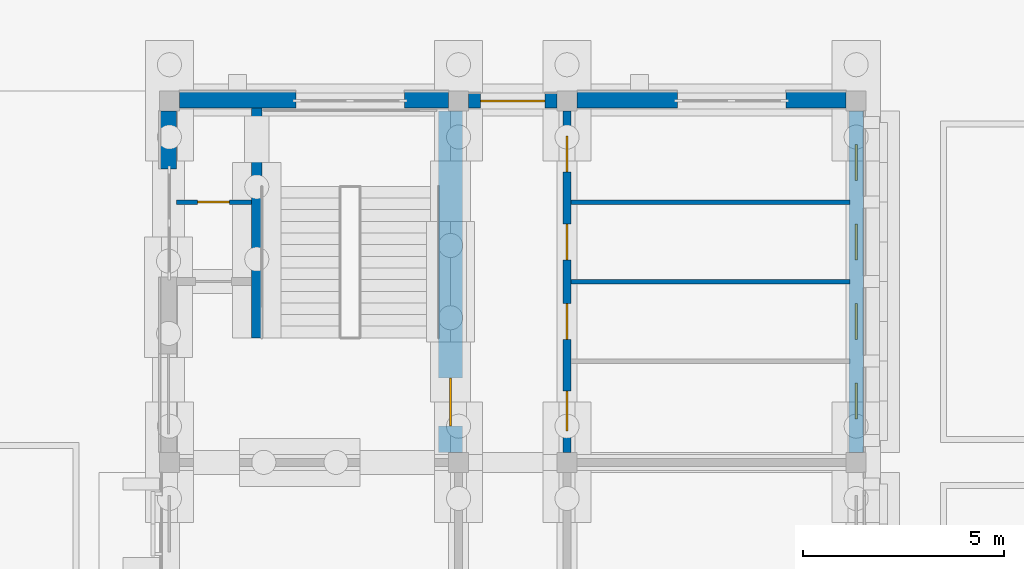
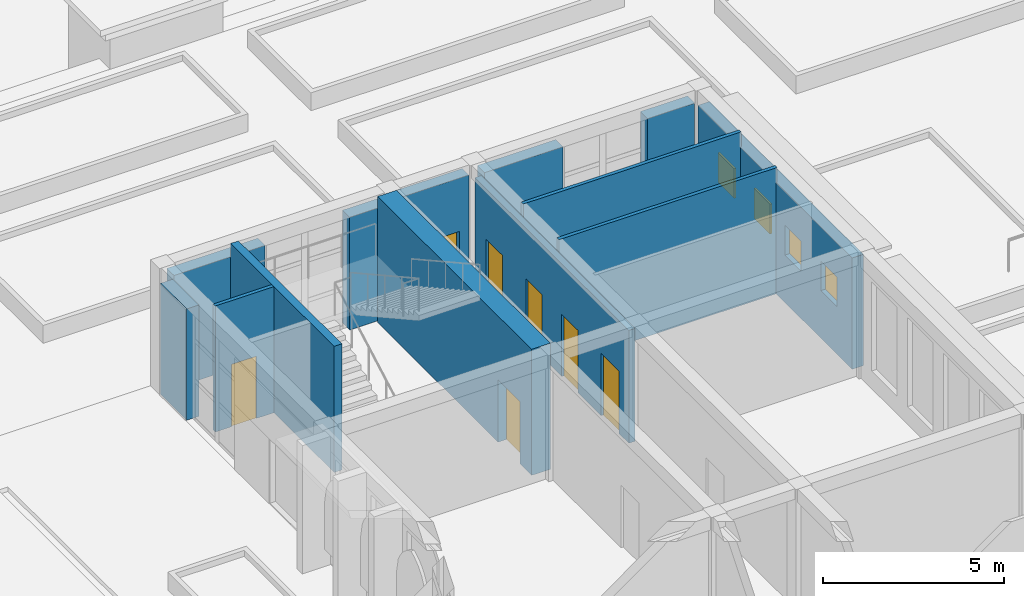
# One storey, part 74 of 161: 13 walls, 7 doors, 4 windows, 11 openings.
"""IFC4 building model written with IfcOpenShell, lengths in metres."""

from ifc_helpers import new_model, si_unit, direction, frame, frame_2d, origin, place, context, subcontext, project, spatial, rectangle, extrude, material, layer, layer_set, type_object, element, fill, save


model = new_model("IFC4")

# Units and contexts
model_context = context("Model", 3, precision=1e-05, world=origin(), true_north=direction((0.0, 1.0)))
body_context = subcontext(model_context, "Body", "Model", "MODEL_VIEW")
ifc_project = project(units=[si_unit("LENGTHUNIT", "METRE"), si_unit("AREAUNIT", "SQUARE_METRE"), si_unit("VOLUMEUNIT", "CUBIC_METRE"), si_unit("PLANEANGLEUNIT", "RADIAN"), si_unit("MASSUNIT", "GRAM", prefix="KILO")], contexts=[model_context])

# Site, building, storey
site_placement = place(None, origin())
site = spatial("IfcSite", under=ifc_project, at=site_placement, CompositionType="ELEMENT")
building_placement = place(site_placement, origin())
building = spatial("IfcBuilding", under=site, at=building_placement, Name="Elbe Cascade School", CompositionType="ELEMENT")
storey_placement = place(building_placement, origin())
storey = spatial("IfcBuildingStorey", under=building, at=storey_placement, Name="L00", CompositionType="ELEMENT", Elevation=0.0)

# Wall, openings, doors
ifc_material_1 = material(Name="Masonry - lime-sand block, plastered", Category="masonry")
ifc_layer_1 = layer(ifc_material_1, 0.199951171875)
ifc_layer_set_1 = layer_set([ifc_layer_1], Name="Masonry - lime-sand block, plastered")
wall_type_1 = type_object("IfcWallType", Name="Bar corridor wall lime-sand block 200 EI 30", PredefinedType="PARTITIONING", material=ifc_layer_set_1)
wall_1_placement = place(storey_placement, frame((167.699951171875, 59.75, 0.0), z_axis=(0.0, 0.0, 1.0), x_axis=(0.0, -1.0, 0.0)))
wall_1 = element("IfcWall", 1, at=wall_1_placement, inside=storey, type_object=wall_type_1, Name="Bar corridor wall lime-sand block 200 EI 30", PredefinedType="PARTITIONING", context=body_context, shape_type="SweptSolid", body=[
    extrude(rectangle(XDim=8.5, YDim=0.199951171875, at=frame_2d((4.25, 0.0))), origin(), (0.0, 0.0, 1.0), 3.800048828125),
])
opening_1_placement = place(wall_1_placement, frame((6.96875, 0.0, 0.0)))
opening_1 = element("IfcOpeningElement", 2, at=opening_1_placement, cuts=wall_1, Name="Opening D0.118", PredefinedType="OPENING", context=body_context, shape_type="SweptSolid", body=[
    extrude(rectangle(XDim=1.0, YDim=2.10009765625, at=frame_2d((0.5, 1.050048828125))), frame((0.0, 0.10986328125, 0.0), z_axis=(0.0, -1.0, 0.0), x_axis=(1.0, 0.0, 0.0)), (0.0, 0.0, 1.0), 0.219970703125),
])
opening_2_placement = place(wall_1_placement, frame((4.7900390625, 0.0, 0.0)))
opening_2 = element("IfcOpeningElement", 3, at=opening_2_placement, cuts=wall_1, Name="Opening D0.121", PredefinedType="OPENING", context=body_context, shape_type="SweptSolid", body=[
    extrude(rectangle(XDim=0.89990234375, YDim=2.10009765625, at=frame_2d((0.449951171875, 1.050048828125))), frame((0.0, 0.10986328125, 0.0), z_axis=(0.0, -1.0, 0.0), x_axis=(1.0, 0.0, 0.0)), (0.0, 0.0, 1.0), 0.219970703125),
])
opening_3_placement = place(wall_1_placement, frame((2.81005859375, 0.0, 0.0)))
opening_3 = element("IfcOpeningElement", 4, at=opening_3_placement, cuts=wall_1, Name="Opening D0.123", PredefinedType="OPENING", context=body_context, shape_type="SweptSolid", body=[
    extrude(rectangle(XDim=0.89990234375, YDim=2.10009765625, at=frame_2d((0.449951171875, 1.050048828125))), frame((0.0, 0.10986328125, 0.0), z_axis=(0.0, -1.0, 0.0), x_axis=(1.0, 0.0, 0.0)), (0.0, 0.0, 1.0), 0.219970703125),
])
opening_4_placement = place(wall_1_placement, frame((0.62109375, 0.0, 0.0)))
opening_4 = element("IfcOpeningElement", 5, at=opening_4_placement, cuts=wall_1, Name="Opening D0.125", PredefinedType="OPENING", context=body_context, shape_type="SweptSolid", body=[
    extrude(rectangle(XDim=0.89990234375, YDim=2.10009765625, at=frame_2d((0.449951171875, 1.050048828125))), frame((0.0, 0.10986328125, 0.0), z_axis=(0.0, -1.0, 0.0), x_axis=(1.0, 0.0, 0.0)), (0.0, 0.0, 1.0), 0.219970703125),
])
ifc_material_2 = material(Name="Timber door leaf, fire-resisting, steel frame", Category="steel")
door_type_1 = type_object("IfcDoorType", Name="Bar door FD30 1000x2100", OperationType="NOTDEFINED", PredefinedType="DOOR", material=ifc_material_2)
door_1_placement = place(opening_1_placement, origin())
door_1 = element("IfcDoor", 6, at=door_1_placement, inside=storey, type_object=door_type_1, Name="Door D0.18", OperationType="SINGLE_SWING_LEFT", OverallHeight=2.10009765625, OverallWidth=1.0, PredefinedType="DOOR", context=body_context, shape_type="SweptSolid", body=[
    extrude(rectangle(XDim=1.0, YDim=2.10009765625, at=frame_2d((0.5, 1.050048828125))), frame((0.0, 0.02490234375, 0.0), z_axis=(0.0, -1.0, 0.0), x_axis=(1.0, 0.0, 0.0)), (0.0, 0.0, 1.0), 0.050048828125),
])
fill(opening_1, door_1)
ifc_material_3 = material(Name="Timber door leaf, fire-resisting, steel frame", Category="steel")
door_type_2 = type_object("IfcDoorType", Name="Bar door FD30 900x2100", OperationType="NOTDEFINED", PredefinedType="DOOR", material=ifc_material_3)
door_2_placement = place(opening_2_placement, origin())
door_2 = element("IfcDoor", 7, at=door_2_placement, inside=storey, type_object=door_type_2, Name="Door D0.17", OperationType="SINGLE_SWING_RIGHT", OverallHeight=2.10009765625, OverallWidth=0.89990234375, PredefinedType="DOOR", context=body_context, shape_type="SweptSolid", body=[
    extrude(rectangle(XDim=0.89990234375, YDim=2.10009765625, at=frame_2d((0.449951171875, 1.050048828125))), frame((0.0, 0.02490234375, 0.0), z_axis=(0.0, -1.0, 0.0), x_axis=(1.0, 0.0, 0.0)), (0.0, 0.0, 1.0), 0.050048828125),
])
fill(opening_2, door_2)
door_3_placement = place(opening_3_placement, origin())
door_3 = element("IfcDoor", 8, at=door_3_placement, inside=storey, type_object=door_type_2, Name="Door D0.16", OperationType="SINGLE_SWING_LEFT", OverallHeight=2.10009765625, OverallWidth=0.89990234375, PredefinedType="DOOR", context=body_context, shape_type="SweptSolid", body=[
    extrude(rectangle(XDim=0.89990234375, YDim=2.10009765625, at=frame_2d((0.449951171875, 1.050048828125))), frame((0.0, 0.02490234375, 0.0), z_axis=(0.0, -1.0, 0.0), x_axis=(1.0, 0.0, 0.0)), (0.0, 0.0, 1.0), 0.050048828125),
])
fill(opening_3, door_3)
door_4_placement = place(opening_4_placement, origin())
door_4 = element("IfcDoor", 9, at=door_4_placement, inside=storey, type_object=door_type_2, Name="Door D0.15", OperationType="SINGLE_SWING_RIGHT", OverallHeight=2.10009765625, OverallWidth=0.89990234375, PredefinedType="DOOR", context=body_context, shape_type="SweptSolid", body=[
    extrude(rectangle(XDim=0.89990234375, YDim=2.10009765625, at=frame_2d((0.449951171875, 1.050048828125))), frame((0.0, 0.02490234375, 0.0), z_axis=(0.0, -1.0, 0.0), x_axis=(1.0, 0.0, 0.0)), (0.0, 0.0, 1.0), 0.050048828125),
])
fill(opening_4, door_4)

# Wall, opening, door
ifc_material_4 = material(Name="Masonry - lime-sand block, plastered", Category="masonry")
ifc_layer_2 = layer(ifc_material_4, 0.114990234375)
ifc_layer_set_2 = layer_set([ifc_layer_2], Name="Masonry - lime-sand block, plastered")
wall_type_2 = type_object("IfcWallType", Name="Bar light partition wall lime-sand block 115", PredefinedType="PARTITIONING", material=ifc_layer_set_2)
wall_2_placement = place(storey_placement, frame((157.97998046875, 57.47998046875, 0.0), z_axis=(0.0, 0.0, 1.0), x_axis=(1.0, 0.0, 0.0)))
wall_2 = element("IfcWall", 10, at=wall_2_placement, inside=storey, type_object=wall_type_2, Name="Bar light partition wall lime-sand block 115", PredefinedType="PARTITIONING", context=body_context, shape_type="SweptSolid", body=[
    extrude(rectangle(XDim=1.8701171875, YDim=0.114990234375, at=frame_2d((0.93505859375, 0.0))), origin(), (0.0, 0.0, 1.0), 4.25),
])
opening_5_placement = place(wall_2_placement, frame((0.52001953125, 0.0, 0.0)))
opening_5 = element("IfcOpeningElement", 11, at=opening_5_placement, cuts=wall_2, Name="Opening D0.124", PredefinedType="OPENING", context=body_context, shape_type="SweptSolid", body=[
    extrude(rectangle(XDim=0.800048828125, YDim=2.10009765625, at=frame_2d((0.39990234375, 1.050048828125))), frame((0.0, 0.0673828125, 0.0), z_axis=(0.0, -1.0, 0.0), x_axis=(1.0, 0.0, 0.0)), (0.0, 0.0, 1.0), 0.135009765625),
])
ifc_material_5 = material(Name="Timber door leaf, steel frame", Category="steel")
door_type_3 = type_object("IfcDoorType", Name="Bar door 800x2100", OperationType="NOTDEFINED", PredefinedType="DOOR", material=ifc_material_5)
door_5_placement = place(opening_5_placement, origin())
door_5 = element("IfcDoor", 12, at=door_5_placement, inside=storey, type_object=door_type_3, Name="Door D0.14", OperationType="SINGLE_SWING_LEFT", OverallHeight=2.10009765625, OverallWidth=0.800048828125, PredefinedType="DOOR", context=body_context, shape_type="SweptSolid", body=[
    extrude(rectangle(XDim=0.800048828125, YDim=2.10009765625, at=frame_2d((0.39990234375, 1.050048828125))), frame((0.0, 0.02490234375, 0.0), z_axis=(0.0, -1.0, 0.0), x_axis=(1.0, 0.0, 0.0)), (0.0, 0.0, 1.0), 0.050048828125),
])
fill(opening_5, door_5)

# Walls
for number, where, z_axis, x_axis, name in (
    (13, (167.800048828125, 57.47998046875, 0.0), (0.0, 0.0, 1.0), (1.0, 0.0, 0.0), "Bar light partition wall lime-sand block 115"),
    (14, (167.800048828125, 55.5, 0.0), (0.0, 0.0, 1.0), (1.0, 0.0, 0.0), "Bar light partition wall lime-sand block 115"),
):
    element("IfcWall", number, at=place(storey_placement, frame(where, z_axis=z_axis, x_axis=x_axis)), inside=storey, type_object=wall_type_2, Name=name, PredefinedType="PARTITIONING", context=body_context, shape_type="SweptSolid", body=[
        extrude(rectangle(XDim=6.949951171875, YDim=0.114990234375, at=frame_2d((3.47509765625, 0.0))), origin(), (0.0, 0.0, 1.0), 4.25),
    ])
ifc_material_6 = material(Name="Concrete C30/37", Category="concrete")
ifc_layer_3 = layer(ifc_material_6, 0.25)
ifc_layer_set_3 = layer_set([ifc_layer_3], Name="Concrete C30/37")
wall_type_3 = type_object("IfcWallType", Name="Bar stair core wall RC 250", PredefinedType="SOLIDWALL", material=ifc_layer_set_3)
wall_3_placement = place(storey_placement, frame((159.97509765625, 54.10009765625, 0.0), z_axis=(0.0, 0.0, 1.0), x_axis=(0.0, 1.0, 0.0)))
element("IfcWall", 15, at=wall_3_placement, inside=storey, type_object=wall_type_3, Name="Bar stair core wall RC 250", PredefinedType="SOLIDWALL", context=body_context, shape_type="SweptSolid", body=[
    extrude(rectangle(XDim=5.719970703125, YDim=0.25, at=frame_2d((2.85986328125, 0.0))), origin(), (0.0, 0.0, 1.0), 4.25),
])

# Wall, opening, door
ifc_material_7 = material(Name="Concrete C30/37", Category="concrete")
ifc_layer_4 = layer(ifc_material_7, 0.60009765625)
ifc_layer_set_4 = layer_set([ifc_layer_4], Name="Concrete C30/37")
wall_type_4 = type_object("IfcWallType", Name="Bar stair core wall RC 600", PredefinedType="SOLIDWALL", material=ifc_layer_set_4)
wall_4_placement = place(storey_placement, frame((164.800048828125, 51.25, 0.0), z_axis=(0.0, 0.0, 1.0), x_axis=(0.0, 1.0, 0.0)))
wall_4 = element("IfcWall", 16, at=wall_4_placement, inside=storey, type_object=wall_type_4, Name="Bar stair core wall RC 600", PredefinedType="SOLIDWALL", context=body_context, shape_type="SweptSolid", body=[
    extrude(rectangle(XDim=8.5, YDim=0.60009765625, at=frame_2d((4.25, 0.0))), origin(), (0.0, 0.0, 1.0), 4.25),
])
opening_6_placement = place(wall_4_placement, frame((0.64990234375, 0.0, 0.0)))
opening_6 = element("IfcOpeningElement", 17, at=opening_6_placement, cuts=wall_4, Name="Opening D0.119", PredefinedType="OPENING", context=body_context, shape_type="SweptSolid", body=[
    extrude(rectangle(XDim=1.199951171875, YDim=2.10009765625, at=frame_2d((0.60009765625, 1.050048828125))), frame((0.0, 0.31005859375, 0.0), z_axis=(0.0, -1.0, 0.0), x_axis=(1.0, 0.0, 0.0)), (0.0, 0.0, 1.0), 0.6201171875),
])
ifc_material_8 = material(Name="Timber door leaf, fire-resisting and smoke-tight, steel frame", Category="steel")
door_type_4 = type_object("IfcDoorType", Name="Bar door FD30S 1200x2100", OperationType="NOTDEFINED", PredefinedType="DOOR", material=ifc_material_8)
door_6_placement = place(opening_6_placement, origin())
door_6 = element("IfcDoor", 18, at=door_6_placement, inside=storey, type_object=door_type_4, Name="Door D0.12", OperationType="SINGLE_SWING_RIGHT", OverallHeight=2.10009765625, OverallWidth=1.199951171875, PredefinedType="DOOR", context=body_context, shape_type="SweptSolid", body=[
    extrude(rectangle(XDim=1.199951171875, YDim=2.10009765625, at=frame_2d((0.60009765625, 1.050048828125))), frame((0.0, 0.02490234375, 0.0), z_axis=(0.0, -1.0, 0.0), x_axis=(1.0, 0.0, 0.0)), (0.0, 0.0, 1.0), 0.050048828125),
])
fill(opening_6, door_6)

# Wall, openings, windows
ifc_material_9 = material(Name="Brick masonry - red clinker, cavity wall with render backing", Category="masonry")
ifc_layer_5 = layer(ifc_material_9, 0.360107421875)
ifc_layer_set_5 = layer_set([ifc_layer_5], Name="Brick masonry - red clinker, cavity wall with render backing")
wall_type_5 = type_object("IfcWallType", Name="Bars envelope External wall - clinker brick cavity, 360 ground floor", PredefinedType="STANDARD", material=ifc_layer_set_5)
wall_5_placement = place(storey_placement, frame((174.89990234375, 59.75, 0.0), z_axis=(0.0, 0.0, 1.0), x_axis=(0.0, -1.0, 0.0)))
wall_5 = element("IfcWall", 19, at=wall_5_placement, inside=storey, type_object=wall_type_5, Name="External wall W29 D.L00.e6", PredefinedType="STANDARD", context=body_context, shape_type="SweptSolid", body=[
    extrude(rectangle(XDim=8.5, YDim=0.360107421875, at=frame_2d((4.25, 0.0))), origin(), (0.0, 0.0, 1.0), 3.75),
])
opening_7_placement = place(wall_5_placement, frame((6.77001953125, 0.0, 1.60009765625)))
opening_7 = element("IfcOpeningElement", 20, at=opening_7_placement, cuts=wall_5, Name="Opening W0.121", PredefinedType="OPENING", context=body_context, shape_type="SweptSolid", body=[
    extrude(rectangle(XDim=0.89990234375, YDim=1.0, at=frame_2d((0.449951171875, 0.5))), frame((0.0, 0.18994140625, 0.0), z_axis=(0.0, -1.0, 0.0), x_axis=(1.0, 0.0, 0.0)), (0.0, 0.0, 1.0), 0.380126953125),
])
opening_8_placement = place(wall_5_placement, frame((4.7900390625, 0.0, 1.60009765625)))
opening_8 = element("IfcOpeningElement", 21, at=opening_8_placement, cuts=wall_5, Name="Opening W0.122", PredefinedType="OPENING", context=body_context, shape_type="SweptSolid", body=[
    extrude(rectangle(XDim=0.89990234375, YDim=1.0, at=frame_2d((0.449951171875, 0.5))), frame((0.0, 0.18994140625, 0.0), z_axis=(0.0, -1.0, 0.0), x_axis=(1.0, 0.0, 0.0)), (0.0, 0.0, 1.0), 0.380126953125),
])
opening_9_placement = place(wall_5_placement, frame((2.81005859375, 0.0, 1.60009765625)))
opening_9 = element("IfcOpeningElement", 22, at=opening_9_placement, cuts=wall_5, Name="Opening W0.123", PredefinedType="OPENING", context=body_context, shape_type="SweptSolid", body=[
    extrude(rectangle(XDim=0.89990234375, YDim=1.0, at=frame_2d((0.449951171875, 0.5))), frame((0.0, 0.18994140625, 0.0), z_axis=(0.0, -1.0, 0.0), x_axis=(1.0, 0.0, 0.0)), (0.0, 0.0, 1.0), 0.380126953125),
])
opening_10_placement = place(wall_5_placement, frame((0.830078125, 0.0, 1.60009765625)))
opening_10 = element("IfcOpeningElement", 23, at=opening_10_placement, cuts=wall_5, Name="Opening W0.124", PredefinedType="OPENING", context=body_context, shape_type="SweptSolid", body=[
    extrude(rectangle(XDim=0.89990234375, YDim=1.0, at=frame_2d((0.449951171875, 0.5))), frame((0.0, 0.18994140625, 0.0), z_axis=(0.0, -1.0, 0.0), x_axis=(1.0, 0.0, 0.0)), (0.0, 0.0, 1.0), 0.380126953125),
])
ifc_material_10 = material(Name="Aluminium frame with double glazing, bronze anodised", Category="aluminium")
window_type = type_object("IfcWindowType", Name="Bars envelope Window 900 x 1000, WC and service room, high level, aluminium double glazed", PartitioningType="SINGLE_PANEL", PredefinedType="WINDOW", material=ifc_material_10)
window_1_placement = place(opening_7_placement, origin())
window_1 = element("IfcWindow", 24, at=window_1_placement, inside=storey, type_object=window_type, Name="Window WN4 D.L00.e6.1", OverallHeight=1.0, OverallWidth=0.89990234375, PartitioningType="SINGLE_PANEL", PredefinedType="WINDOW", context=body_context, shape_type="SweptSolid", body=[
    extrude(rectangle(XDim=0.89990234375, YDim=1.0, at=frame_2d((0.449951171875, 0.5))), frame((0.0, 0.030029296875, 0.0), z_axis=(0.0, -1.0, 0.0), x_axis=(1.0, 0.0, 0.0)), (0.0, 0.0, 1.0), 0.06005859375),
])
fill(opening_7, window_1)
window_2_placement = place(opening_8_placement, origin())
window_2 = element("IfcWindow", 25, at=window_2_placement, inside=storey, type_object=window_type, Name="Window WN4 D.L00.e6.2", OverallHeight=1.0, OverallWidth=0.89990234375, PartitioningType="SINGLE_PANEL", PredefinedType="WINDOW", context=body_context, shape_type="SweptSolid", body=[
    extrude(rectangle(XDim=0.89990234375, YDim=1.0, at=frame_2d((0.449951171875, 0.5))), frame((0.0, 0.030029296875, 0.0), z_axis=(0.0, -1.0, 0.0), x_axis=(1.0, 0.0, 0.0)), (0.0, 0.0, 1.0), 0.06005859375),
])
fill(opening_8, window_2)
window_3_placement = place(opening_9_placement, origin())
window_3 = element("IfcWindow", 26, at=window_3_placement, inside=storey, type_object=window_type, Name="Window WN4 D.L00.e6.3", OverallHeight=1.0, OverallWidth=0.89990234375, PartitioningType="SINGLE_PANEL", PredefinedType="WINDOW", context=body_context, shape_type="SweptSolid", body=[
    extrude(rectangle(XDim=0.89990234375, YDim=1.0, at=frame_2d((0.449951171875, 0.5))), frame((0.0, 0.030029296875, 0.0), z_axis=(0.0, -1.0, 0.0), x_axis=(1.0, 0.0, 0.0)), (0.0, 0.0, 1.0), 0.06005859375),
])
fill(opening_9, window_3)
window_4_placement = place(opening_10_placement, origin())
window_4 = element("IfcWindow", 27, at=window_4_placement, inside=storey, type_object=window_type, Name="Window WN4 D.L00.e6.4", OverallHeight=1.0, OverallWidth=0.89990234375, PartitioningType="SINGLE_PANEL", PredefinedType="WINDOW", context=body_context, shape_type="SweptSolid", body=[
    extrude(rectangle(XDim=0.89990234375, YDim=1.0, at=frame_2d((0.449951171875, 0.5))), frame((0.0, 0.030029296875, 0.0), z_axis=(0.0, -1.0, 0.0), x_axis=(1.0, 0.0, 0.0)), (0.0, 0.0, 1.0), 0.06005859375),
])
fill(opening_10, window_4)

# Wall, opening, door
wall_6_placement = place(storey_placement, frame((165.25, 60.0, 0.0), z_axis=(0.0, 0.0, 1.0), x_axis=(1.0, 0.0, 0.0)))
wall_6 = element("IfcWall", 28, at=wall_6_placement, inside=storey, type_object=wall_type_5, Name="External wall W29 D.L00.n2", PredefinedType="STANDARD", context=body_context, shape_type="SweptSolid", body=[
    extrude(rectangle(XDim=2.199951171875, YDim=0.360107421875, at=frame_2d((1.10009765625, 0.0))), origin(), (0.0, 0.0, 1.0), 3.89990234375),
])
opening_11_placement = place(wall_6_placement, frame((0.300048828125, 0.0, 0.0)))
opening_11 = element("IfcOpeningElement", 29, at=opening_11_placement, cuts=wall_6, Name="Opening D0.126", PredefinedType="OPENING", context=body_context, shape_type="SweptSolid", body=[
    extrude(rectangle(XDim=1.60009765625, YDim=2.10009765625, at=frame_2d((0.800048828125, 1.050048828125))), frame((0.0, 0.18994140625, 0.0), z_axis=(0.0, -1.0, 0.0), x_axis=(1.0, 0.0, 0.0)), (0.0, 0.0, 1.0), 0.380126953125),
])
ifc_material_11 = material(Name="Steel door set, fire resisting", Category="steel")
door_type_5 = type_object("IfcDoorType", Name="Bars envelope Fire exit door, double leaf, 1600 x 2100, fire resisting", OperationType="DOUBLE_DOOR_SINGLE_SWING", PredefinedType="DOOR", material=ifc_material_11)
door_7_placement = place(opening_11_placement, origin())
door_7 = element("IfcDoor", 30, at=door_7_placement, inside=storey, type_object=door_type_5, Name="Fire exit door D16 D.L00.n2", OperationType="DOUBLE_DOOR_SINGLE_SWING", OverallHeight=2.10009765625, OverallWidth=1.60009765625, PredefinedType="DOOR", context=body_context, shape_type="SweptSolid", body=[
    extrude(rectangle(XDim=1.60009765625, YDim=2.10009765625, at=frame_2d((0.800048828125, 1.050048828125))), frame((0.0, 0.02490234375, 0.0), z_axis=(0.0, -1.0, 0.0), x_axis=(1.0, 0.0, 0.0)), (0.0, 0.0, 1.0), 0.050048828125),
])
fill(opening_11, door_7)

# Walls
ifc_material_12 = material(Name="Brick masonry - red clinker, solid, sandstone-faced", Category="masonry")
ifc_layer_6 = layer(ifc_material_12, 0.39990234375)
ifc_layer_set_6 = layer_set([ifc_layer_6], Name="Brick masonry - red clinker, solid, sandstone-faced")
wall_type_6 = type_object("IfcWallType", Name="Bars envelope External wall - solid masonry core strip, sandstone faced, 400", PredefinedType="STANDARD", material=ifc_layer_set_6)
wall_7_placement = place(storey_placement, frame((157.780029296875, 58.31005859375, 0.0), z_axis=(0.0, 0.0, 1.0), x_axis=(0.0, 1.0, 0.0)))
element("IfcWall", 31, at=wall_7_placement, inside=storey, type_object=wall_type_6, Name="External wall W31 D.L00.w6b", PredefinedType="STANDARD", context=body_context, shape_type="SweptSolid", body=[
    extrude(rectangle(XDim=1.43994140625, YDim=0.39990234375, at=frame_2d((0.719970703125, 0.0))), origin(), (0.0, 0.0, 1.0), 3.75),
])
wall_8_placement = place(storey_placement, frame((158.050048828125, 60.02001953125, 0.0), z_axis=(0.0, 0.0, 1.0), x_axis=(1.0, 0.0, 0.0)))
element("IfcWall", 32, at=wall_8_placement, inside=storey, type_object=wall_type_6, Name="External wall W31 D.L00.n1a", PredefinedType="STANDARD", context=body_context, shape_type="SweptSolid", body=[
    extrude(rectangle(XDim=2.89990234375, YDim=0.39990234375, at=frame_2d((1.449951171875, 0.0))), origin(), (0.0, 0.0, 1.0), 3.800048828125),
])
wall_9_placement = place(storey_placement, frame((163.64990234375, 60.02001953125, 0.0), z_axis=(0.0, 0.0, 1.0), x_axis=(1.0, 0.0, 0.0)))
element("IfcWall", 33, at=wall_9_placement, inside=storey, type_object=wall_type_6, Name="External wall W31 D.L00.n1b", PredefinedType="STANDARD", context=body_context, shape_type="SweptSolid", body=[
    extrude(rectangle(XDim=1.10009765625, YDim=0.39990234375, at=frame_2d((0.550048828125, 0.0))), origin(), (0.0, 0.0, 1.0), 3.800048828125),
])
wall_10_placement = place(storey_placement, frame((167.949951171875, 60.02001953125, 0.0), z_axis=(0.0, 0.0, 1.0), x_axis=(1.0, 0.0, 0.0)))
element("IfcWall", 34, at=wall_10_placement, inside=storey, type_object=wall_type_6, Name="External wall W31 D.L00.n3a", PredefinedType="STANDARD", context=body_context, shape_type="SweptSolid", body=[
    extrude(rectangle(XDim=2.5, YDim=0.39990234375, at=frame_2d((1.25, 0.0))), origin(), (0.0, 0.0, 1.0), 3.800048828125),
])
wall_11_placement = place(storey_placement, frame((173.14990234375, 60.02001953125, 0.0), z_axis=(0.0, 0.0, 1.0), x_axis=(1.0, 0.0, 0.0)))
element("IfcWall", 35, at=wall_11_placement, inside=storey, type_object=wall_type_6, Name="External wall W31 D.L00.n3b", PredefinedType="STANDARD", context=body_context, shape_type="SweptSolid", body=[
    extrude(rectangle(XDim=1.5, YDim=0.39990234375, at=frame_2d((0.75, 0.0))), origin(), (0.0, 0.0, 1.0), 3.800048828125),
])

save(model, "model.ifc")
